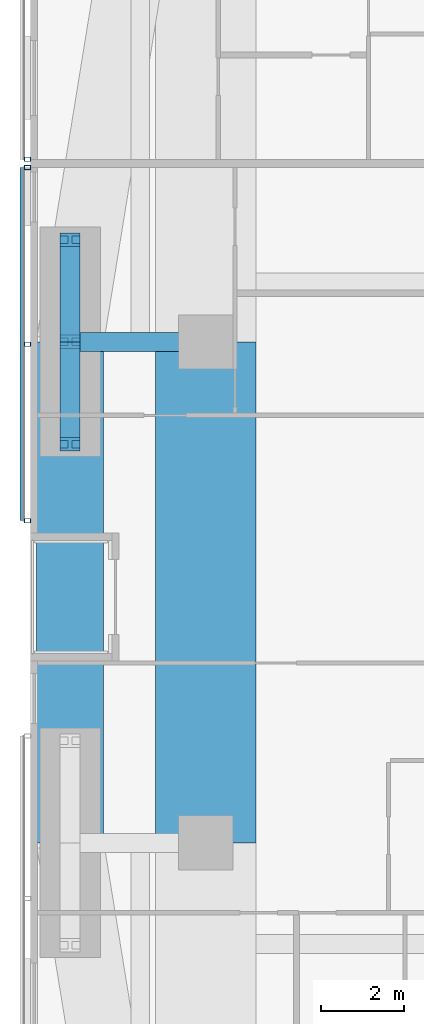
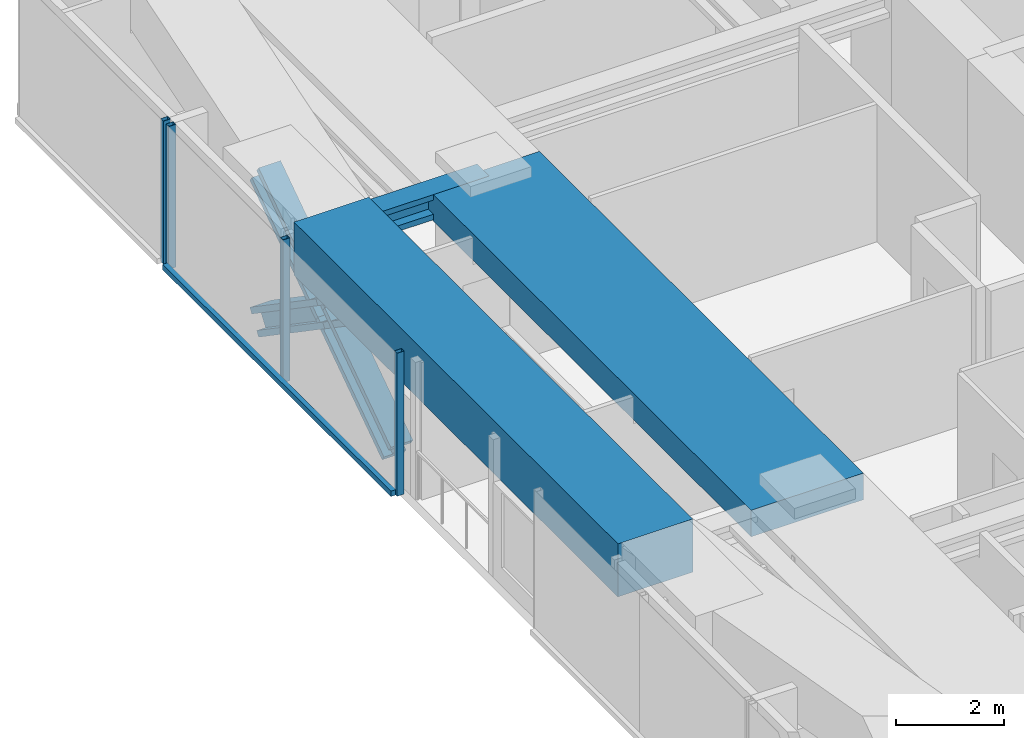
# One storey, part 6 of 24: 9 members, 3 beams, 2 elements without a shape of their own.
"""IFC4 building model written with IfcOpenShell, lengths in metres."""

import ifcopenshell
import ifcopenshell.guid

model = None  # the IFC model being written
_history = None  # IfcOwnerHistory: only IFC2X3 demands one
_inside = {}  # id of a spatial element -> (the spatial element, [elements in it])
_under = {}  # id of a project, library or spatial element -> (it, [spatial elements below it])
_declared = {}  # id of a project -> (the project, [libraries it declares])
_typed = {}  # id of a type object -> (the type object, [elements of that type])
_made_of = {}  # id of a material, layer set ... -> (it, [elements and type objects made of it])


def new_model(schema):
    """Start an empty IFC model of exactly this schema.

    Asked for "IFC4X3", IfcOpenShell would pick the latest addendum, in which some entities
    have other attributes; the version numbers below select the first issue.
    IFC2X3 requires an IfcOwnerHistory on every rooted entity: one is made here for all.
    """
    global model, _history
    if schema == "IFC4X3":
        model = ifcopenshell.file(schema_version=(4, 3, 0, 0))
    else:
        model = ifcopenshell.file(schema=schema)
    _inside.clear()
    _under.clear()
    _declared.clear()
    _typed.clear()
    _made_of.clear()
    _history = None
    if model.schema == "IFC2X3":
        org = make("IfcOrganization", Name="unknown")
        user = make(
            "IfcPersonAndOrganization",
            ThePerson=make("IfcPerson", FamilyName="unknown"),
            TheOrganization=org,
        )
        app = make(
            "IfcApplication",
            ApplicationDeveloper=org,
            Version="unknown",
            ApplicationFullName="unknown",
            ApplicationIdentifier="unknown",
        )
        _history = make(
            "IfcOwnerHistory",
            OwningUser=user,
            OwningApplication=app,
            ChangeAction="ADDED",
            CreationDate=0,
        )
    return model


def make(cls, **values):
    """One entity of the class cls with the attributes given. An attribute that is None is left unset."""
    return model.create_entity(
        cls, **{name: value for name, value in values.items() if value is not None}
    )


def rooted(cls, **values):
    """An entity with a GlobalId (a new one), such as an element, a storey or a relation."""
    return make(cls, GlobalId=ifcopenshell.guid.new(), OwnerHistory=_history, **values)


def si_unit(unit_type, name, prefix=None):
    """IfcSIUnit, for example si_unit("LENGTHUNIT", "METRE", prefix="MILLI")."""
    return make("IfcSIUnit", UnitType=unit_type, Prefix=prefix, Name=name)


def assignment(units):
    """IfcUnitAssignment: the units of a project."""
    return None if units is None else make("IfcUnitAssignment", Units=units)


def point(xyz):
    """IfcCartesianPoint."""
    return None if xyz is None else make("IfcCartesianPoint", Coordinates=xyz)


def direction(xyz):
    """IfcDirection."""
    return None if xyz is None else make("IfcDirection", DirectionRatios=xyz)


def frame(location, z_axis=None, x_axis=None):
    """IfcAxis2Placement3D, a coordinate frame: its origin and axes. An axis left out is left unset."""
    return make(
        "IfcAxis2Placement3D",
        Location=point(location),
        Axis=direction(z_axis),
        RefDirection=direction(x_axis),
    )


def frame_2d(location, x_axis=None):
    """IfcAxis2Placement2D, a coordinate frame in the plane: its origin and x axis."""
    return make(
        "IfcAxis2Placement2D", Location=point(location), RefDirection=direction(x_axis)
    )


def origin():
    """The frame at (0, 0, 0) with its axes left unset."""
    return frame((0.0, 0.0, 0.0))


def origin_2d():
    """The frame at (0, 0) in the plane with its x axis left unset."""
    return frame_2d((0.0, 0.0))


def place(relative_to, where):
    """IfcLocalPlacement: puts the frame where relative to a parent placement (None: the world)."""
    return make(
        "IfcLocalPlacement", PlacementRelTo=relative_to, RelativePlacement=where
    )


def context(
    kind, dimensions, precision=None, world=None, true_north=None, identifier=None
):
    """IfcGeometricRepresentationContext, for example the 3D "Model" context."""
    return make(
        "IfcGeometricRepresentationContext",
        ContextIdentifier=identifier,
        ContextType=kind,
        CoordinateSpaceDimension=dimensions,
        Precision=precision,
        WorldCoordinateSystem=world,
        TrueNorth=true_north,
    )


def subcontext(parent, identifier, kind, view, scale=None):
    """IfcGeometricRepresentationSubContext, for example "Body" below "Model"."""
    return make(
        "IfcGeometricRepresentationSubContext",
        ContextIdentifier=identifier,
        ContextType=kind,
        ParentContext=parent,
        TargetScale=scale,
        TargetView=view,
    )


def project(units=None, contexts=None):
    """IfcProject with its units and contexts."""
    return rooted(
        "IfcProject",
        Name="project",
        RepresentationContexts=contexts,
        UnitsInContext=assignment(units),
    )


def spatial(cls, under=None, at=None, **own):
    """A site, building, storey or space (cls), placed at a placement, below another one or the project."""
    s = rooted(cls, ObjectPlacement=at, **own)
    if under is not None:
        _under.setdefault(under.id(), (under, []))[1].append(s)
    return s


def profile(cls, at=None, kind="AREA", **sizes):
    """A parametric profile (cls). Its sizes go by their IFC names, for example OverallWidth=200.0."""
    return make(cls, ProfileType=kind, Position=at, **sizes)


def rectangle(**sizes):
    """IfcRectangleProfileDef."""
    return profile("IfcRectangleProfileDef", **sizes)


def hollow_rectangle(**sizes):
    """IfcRectangleHollowProfileDef."""
    return profile("IfcRectangleHollowProfileDef", **sizes)


def i_section(**sizes):
    """IfcIShapeProfileDef."""
    return profile("IfcIShapeProfileDef", **sizes)


def extrude(swept, where, along, depth):
    """IfcExtrudedAreaSolid: the profile swept, set in the frame where, extruded along a direction by depth."""
    return make(
        "IfcExtrudedAreaSolid",
        SweptArea=swept,
        Position=where,
        ExtrudedDirection=direction(along),
        Depth=depth,
    )


def shape(context_of_items, identifier, shape_type, items):
    """IfcShapeRepresentation: the items that make up one representation, for example the "Body"."""
    return make(
        "IfcShapeRepresentation",
        ContextOfItems=context_of_items,
        RepresentationIdentifier=identifier,
        RepresentationType=shape_type,
        Items=items,
    )


def material(Name=None, Category=None):
    """IfcMaterial."""
    return make("IfcMaterial", Name=Name, Category=Category)


def material_profile(
    of_material, cross_section, Name=None, Category=None, Priority=None
):
    """IfcMaterialProfile: a cross section and its material."""
    return make(
        "IfcMaterialProfile",
        Name=Name,
        Material=of_material,
        Profile=cross_section,
        Priority=Priority,
        Category=Category,
    )


def profile_set(profiles, Name=None, composite=None):
    """IfcMaterialProfileSet."""
    return make(
        "IfcMaterialProfileSet",
        Name=Name,
        MaterialProfiles=profiles,
        CompositeProfile=composite,
    )


def made_of(thing, what):
    """Note that an element or type object is made of a material, layer set ...; save() writes the relation."""
    if what is not None:
        _made_of.setdefault(what.id(), (what, []))[1].append(thing)
    return thing


def type_object(cls, material=None, **own):
    """A type object (cls), such as IfcWallType, which elements share."""
    return made_of(rooted(cls, **own), material)


def element(
    cls,
    number,
    at=None,
    inside=None,
    cuts=None,
    type_object=None,
    material=None,
    context=None,
    identifier="Body",
    shape_type=None,
    held_by="IfcProductDefinitionShape",
    body=None,
    shapes=None,
    **own,
):
    """One element of the class cls, such as IfcWall. Its Tag is "e" and its number.

    at: its placement. inside: the storey or other place that contains it. cuts: it is an
    opening in that element (IfcRelVoidsElement). A single representation is given by context,
    identifier, shape_type and body (its items); several are given by shapes. held_by: the class
    of the entity that holds the representations. save() writes the other relations.
    """
    e = rooted(cls, Tag="e%d" % number, ObjectPlacement=at, **own)
    if body is not None:
        shapes = [shape(context, identifier, shape_type, body)]
    if shapes is not None:
        e.Representation = make(held_by, Representations=shapes)
    if inside is not None:
        _inside.setdefault(inside.id(), (inside, []))[1].append(e)
    if cuts is not None:
        rooted(
            "IfcRelVoidsElement", RelatingBuildingElement=cuts, RelatedOpeningElement=e
        )
    if type_object is not None:
        _typed.setdefault(type_object.id(), (type_object, []))[1].append(e)
    return made_of(e, material)


def aggregate(whole, parts):
    """IfcRelAggregates: a whole, such as a stair, and the parts it consists of."""
    return rooted("IfcRelAggregates", RelatingObject=whole, RelatedObjects=parts)


def save(model, path):
    """Write the relations noted so far, then the file.

    IfcRelAggregates (storeys below a building ...), IfcRelContainedInSpatialStructure (elements
    in a storey), IfcRelDefinesByType, IfcRelAssociatesMaterial and IfcRelDeclares: one each for
    every whole, place, type object, material and project.
    """
    for whole, parts in _under.values():
        aggregate(whole, parts)
    for where, things in _inside.values():
        rooted(
            "IfcRelContainedInSpatialStructure",
            RelatedElements=things,
            RelatingStructure=where,
        )
    for kind, things in _typed.values():
        rooted("IfcRelDefinesByType", RelatedObjects=things, RelatingType=kind)
    for what, things in _made_of.values():
        rooted("IfcRelAssociatesMaterial", RelatedObjects=things, RelatingMaterial=what)
    for by, libraries in _declared.values():
        rooted("IfcRelDeclares", RelatingContext=by, RelatedDefinitions=libraries)
    model.write(path)


model = new_model("IFC4")

# Units and contexts
model_context = context("Model", 3, precision=1e-05, world=origin(), true_north=direction((0.0, 1.0)))
body_context = subcontext(model_context, "Body", "Model", "MODEL_VIEW")
ifc_project = project(units=[si_unit("LENGTHUNIT", "METRE"), si_unit("AREAUNIT", "SQUARE_METRE"), si_unit("VOLUMEUNIT", "CUBIC_METRE"), si_unit("PLANEANGLEUNIT", "RADIAN"), si_unit("MASSUNIT", "GRAM", prefix="KILO")], contexts=[model_context])

# Site, building, storey
site_placement = place(None, origin())
site = spatial("IfcSite", under=ifc_project, at=site_placement, CompositionType="ELEMENT")
building_placement = place(site_placement, origin())
building = spatial("IfcBuilding", under=site, at=building_placement, Name="Jalousie Tower", CompositionType="ELEMENT")
storey_placement = place(building_placement, frame((0.0, 0.0, 91.449951171875)))
storey = spatial("IfcBuildingStorey", under=building, at=storey_placement, Name="L24", CompositionType="ELEMENT", Elevation=91.449951171875)

# Beam
ifc_material_1 = material(Name="Steel ASTM A992 Grade 50", Category="steel")
ifc_material_profile_1 = material_profile(ifc_material_1, i_section(OverallWidth=0.45458984375, OverallDepth=0.569091796875, WebThickness=0.077880859375, FlangeThickness=0.124755859375, at=origin_2d()), Name="W14X730")
ifc_profile_set_1 = profile_set([ifc_material_profile_1], Name="Steel ASTM A992 Grade 50")
beam_type_1 = type_object("IfcBeamType", Name="LEAN COLLECTOR W14X730", PredefinedType="BEAM", material=ifc_profile_set_1)
beam_1_placement = place(storey_placement, frame((6.949951171875, 25.0, 2.825439453125), z_axis=(1.0, 0.0, 0.0), x_axis=(0.0, 1.0, 0.0)))
element("IfcBeam", 1, at=beam_1_placement, inside=storey, type_object=beam_type_1, Name="Lean collector under L25", PredefinedType="BEAM", context=body_context, shape_type="SweptSolid", body=[
    extrude(i_section(OverallWidth=0.45458984375, OverallDepth=0.569091796875, WebThickness=0.077880859375, FlangeThickness=0.124755859375, at=origin_2d()), origin(), (0.0, 0.0, 1.0), 3.25),
])

# Members
ifc_material_2 = material(Name="Steel ASTM A992 Grade 50", Category="steel")
ifc_material_profile_2 = material_profile(ifc_material_2, i_section(OverallWidth=0.472412109375, OverallDepth=0.5791015625, WebThickness=0.094970703125, FlangeThickness=0.1298828125, at=origin_2d()), Name="W14X808")
ifc_profile_set_2 = profile_set([ifc_material_profile_2], Name="Steel ASTM A992 Grade 50")
member_type_1 = type_object("IfcMemberType", Name="PERIMETER BRACE W14X808", PredefinedType="BRACE", material=ifc_profile_set_2)
for number, where, z_axis, x_axis, name in (
    (2, (6.949951171875, 22.550048828125, -0.599853515625), (0.0, 0.825539243753, 0.564344714713), (-1.0, 0.0, 0.0), "Perimeter brace 13 L24 part 1"),
    (3, (6.949951171875, 25.0, 1.074951171875), (0.0, 0.825500916831, 0.564400776321), (-1.0, 0.0, 0.0), "Perimeter brace 13 L24 part 2"),
    (4, (6.949951171875, 27.449951171875, -0.599853515625), (0.0, -0.825539243753, 0.564344714713), (1.0, 0.0, 0.0), "Perimeter brace 13 L24 part 3"),
    (5, (6.949951171875, 25.0, 1.074951171875), (0.0, -0.825500916831, 0.564400776321), (1.0, 0.0, 0.0), "Perimeter brace 13 L24 part 4"),
):
    element("IfcMember", number, at=place(storey_placement, frame(where, z_axis=z_axis, x_axis=x_axis)), inside=storey, type_object=member_type_1, Name=name, PredefinedType="BRACE", context=body_context, shape_type="SweptSolid", body=[
        extrude(i_section(OverallWidth=0.472412109375, OverallDepth=0.5791015625, WebThickness=0.094970703125, FlangeThickness=0.1298828125, at=origin_2d()), origin(), (0.0, 0.0, 1.0), 2.9677734375),
    ])

# Beams
ifc_material_3 = material(Name="Concrete f'c 40 MPa", Category="concrete")
ifc_material_profile_3 = material_profile(ifc_material_3, rectangle(XDim=1.60009765625, YDim=1.199951171875, at=origin_2d()), Name="RC 1600x1200")
ifc_profile_set_3 = profile_set([ifc_material_profile_3], Name="Concrete f'c 40 MPa")
beam_type_2 = type_object("IfcBeamType", Name="RC BEAM 1600x1200", PredefinedType="BEAM", material=ifc_profile_set_3)
beam_2_placement = place(storey_placement, frame((6.949951171875, 25.0, 2.75), z_axis=(0.0, -1.0, 0.0), x_axis=(1.0, 0.0, 0.0)))
element("IfcBeam", 6, at=beam_2_placement, inside=storey, type_object=beam_type_2, Name="Edge band beam 13-14 under L25", PredefinedType="BEAM", context=body_context, shape_type="SweptSolid", body=[
    extrude(rectangle(XDim=1.60009765625, YDim=1.199951171875, at=origin_2d()), origin(), (0.0, 0.0, 1.0), 12.0),
])
ifc_material_4 = material(Name="Concrete f'c 40 MPa", Category="concrete")
ifc_material_profile_4 = material_profile(ifc_material_4, rectangle(XDim=2.39990234375, YDim=0.60009765625, at=origin_2d()), Name="RC 2400x600")
ifc_profile_set_4 = profile_set([ifc_material_profile_4], Name="Concrete f'c 40 MPa")
beam_type_3 = type_object("IfcBeamType", Name="RC BEAM 2400x600", PredefinedType="BEAM", material=ifc_profile_set_4)
beam_3_placement = place(storey_placement, frame((10.199951171875, 13.0, 2.81005859375), z_axis=(0.0, 1.0, 0.0), x_axis=(-1.0, 0.0, 0.0)))
element("IfcBeam", 7, at=beam_3_placement, inside=storey, type_object=beam_type_3, Name="Floor band beam under L25", PredefinedType="BEAM", context=body_context, shape_type="SweptSolid", body=[
    extrude(rectangle(XDim=2.39990234375, YDim=0.60009765625, at=origin_2d()), origin(), (0.0, 0.0, 1.0), 12.0),
])

# Curtain wall, member
ifc_material_5 = material(Name="Perforated aluminium sheet", Category="aluminium")
curtain_wall_type = type_object("IfcCurtainWallType", Name="SOLAR SCREEN SS-1", PredefinedType="USERDEFINED", material=ifc_material_5)
curtain_wall_1_placement = place(storey_placement, origin())
curtain_wall_1 = element("IfcCurtainWall", 8, at=curtain_wall_1_placement, inside=storey, type_object=curtain_wall_type, Name="Solar screen L24", ObjectType="SOLAR SCREEN SS-1", PredefinedType="USERDEFINED")
ifc_material_6 = material(Name="Steel ASTM A500 Grade C", Category="steel")
ifc_material_profile_5 = material_profile(ifc_material_6, hollow_rectangle(XDim=0.1015625, YDim=0.15234375, WallThickness=0.00634765625, at=origin_2d()), Name="HSS6X4X1/4")
ifc_profile_set_5 = profile_set([ifc_material_profile_5], Name="Steel ASTM A500 Grade C")
member_type_2 = type_object("IfcMemberType", Name="SOLAR SCREEN SS-1 MULLION", PredefinedType="MULLION", material=ifc_profile_set_5)
member_1_placement = place(storey_placement, frame((5.9287109375, 29.375, -0.119873046875), z_axis=(0.0, 0.0, 1.0), x_axis=(0.0, -1.0, 0.0)))
member_1 = element("IfcMember", 9, at=member_1_placement, type_object=member_type_2, Name="SS1 post 2", PredefinedType="MULLION", context=body_context, shape_type="SweptSolid", body=[
    extrude(hollow_rectangle(XDim=0.1015625, YDim=0.15234375, WallThickness=0.00634765625, at=origin_2d()), origin(), (0.0, 0.0, 1.0), 3.22998046875),
])
aggregate(curtain_wall_1, [member_1])

# Curtain wall, members
curtain_wall_2_placement = place(storey_placement, origin())
curtain_wall_2 = element("IfcCurtainWall", 10, at=curtain_wall_2_placement, inside=storey, type_object=curtain_wall_type, Name="Solar screen L24", ObjectType="SOLAR SCREEN SS-1", PredefinedType="USERDEFINED")
member_2_placement = place(storey_placement, frame((5.9287109375, 29.175048828125, -0.119873046875), z_axis=(0.0, 0.0, 1.0), x_axis=(0.0, -1.0, 0.0)))
member_2 = element("IfcMember", 11, at=member_2_placement, type_object=member_type_2, Name="SS1 post 1", PredefinedType="MULLION", context=body_context, shape_type="SweptSolid", body=[
    extrude(hollow_rectangle(XDim=0.1015625, YDim=0.15234375, WallThickness=0.00634765625, at=origin_2d()), origin(), (0.0, 0.0, 1.0), 3.22998046875),
])
member_3_placement = place(storey_placement, frame((5.9287109375, 24.94580078125, -0.119873046875), z_axis=(0.0, 0.0, 1.0), x_axis=(0.0, -1.0, 0.0)))
member_3 = element("IfcMember", 12, at=member_3_placement, type_object=member_type_2, Name="SS1 post 2", PredefinedType="MULLION", context=body_context, shape_type="SweptSolid", body=[
    extrude(hollow_rectangle(XDim=0.1015625, YDim=0.15234375, WallThickness=0.00634765625, at=origin_2d()), origin(), (0.0, 0.0, 1.0), 3.22998046875),
])
member_4_placement = place(storey_placement, frame((5.9287109375, 20.716796875, -0.119873046875), z_axis=(0.0, 0.0, 1.0), x_axis=(0.0, -1.0, 0.0)))
member_4 = element("IfcMember", 13, at=member_4_placement, type_object=member_type_2, Name="SS1 post 3", PredefinedType="MULLION", context=body_context, shape_type="SweptSolid", body=[
    extrude(hollow_rectangle(XDim=0.1015625, YDim=0.15234375, WallThickness=0.00634765625, at=origin_2d()), origin(), (0.0, 0.0, 1.0), 3.22998046875),
])
ifc_material_7 = material(Name="Extruded aluminium screen rail", Category="aluminium")
ifc_material_profile_6 = material_profile(ifc_material_7, rectangle(XDim=0.1015625, YDim=0.1201171875, at=origin_2d()), Name="RAIL 102x120")
ifc_profile_set_6 = profile_set([ifc_material_profile_6], Name="Extruded aluminium screen rail")
member_type_3 = type_object("IfcMemberType", Name="SOLAR SCREEN SS-1 TRANSOM", PredefinedType="USERDEFINED", material=ifc_profile_set_6)
member_5_placement = place(storey_placement, frame((5.8017578125, 29.175048828125, -0.06005859375), z_axis=(0.0, -1.0, 0.0), x_axis=(1.0, 0.0, 0.0)))
member_5 = element("IfcMember", 14, at=member_5_placement, type_object=member_type_3, Name="SS1 rail", ObjectType="TRANSOM", PredefinedType="USERDEFINED", context=body_context, shape_type="SweptSolid", body=[
    extrude(rectangle(XDim=0.1015625, YDim=0.1201171875, at=origin_2d()), origin(), (0.0, 0.0, 1.0), 8.458251953125),
])
aggregate(curtain_wall_2, [member_2, member_3, member_4, member_5])

save(model, "model.ifc")
